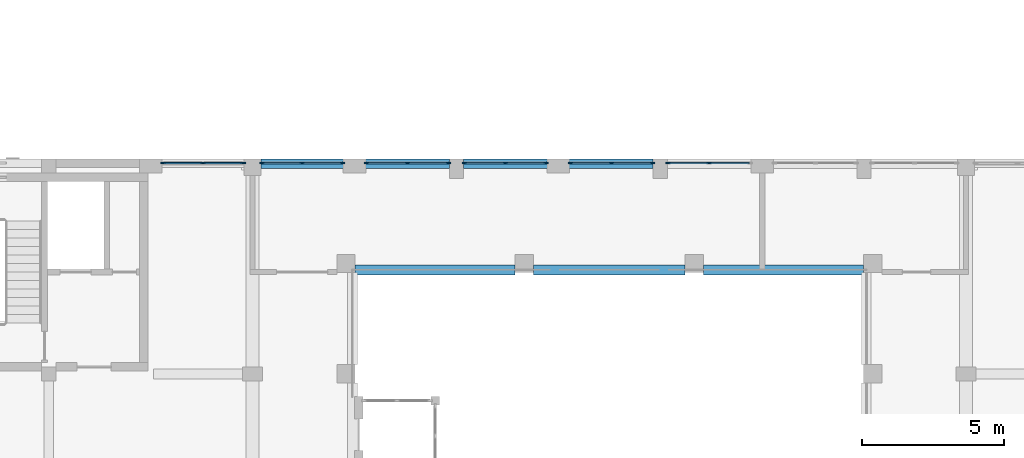
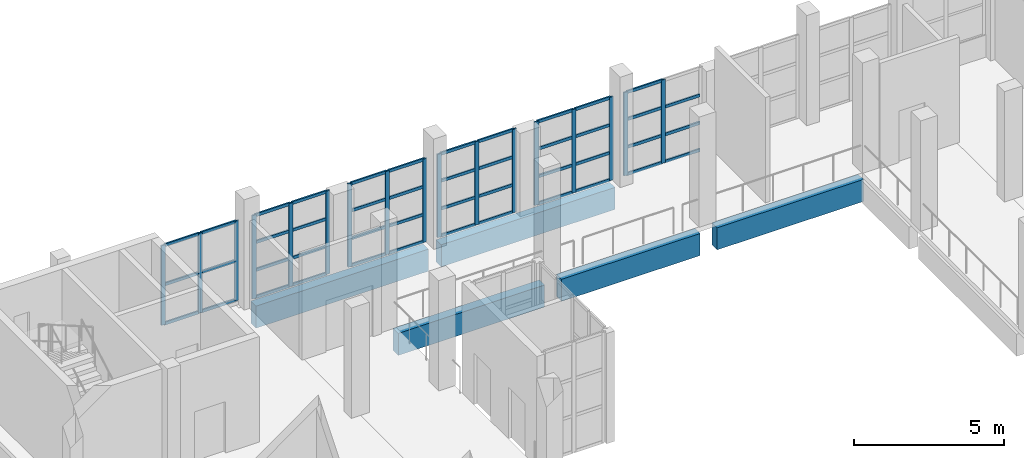
# One storey, part 8 of 59: 62 members, 5 beams, 6 elements without a shape of their own.
"""IFC4 building model written with IfcOpenShell, lengths in metres."""

from ifc_helpers import new_model, si_unit, direction, frame, origin, origin_2d, place, context, subcontext, project, spatial, rectangle, extrude, material, layer, layer_set, material_profile, profile_set, type_object, element, aggregate, save


model = new_model("IFC4")

# Units and contexts
model_context = context("Model", 3, precision=1e-05, world=origin(), true_north=direction((0.0, 1.0)))
body_context = subcontext(model_context, "Body", "Model", "MODEL_VIEW")
ifc_project = project(units=[si_unit("LENGTHUNIT", "METRE"), si_unit("AREAUNIT", "SQUARE_METRE"), si_unit("VOLUMEUNIT", "CUBIC_METRE"), si_unit("PLANEANGLEUNIT", "RADIAN"), si_unit("MASSUNIT", "GRAM", prefix="KILO")], contexts=[model_context])

# Site, building, storey
site_placement = place(None, origin())
site = spatial("IfcSite", under=ifc_project, at=site_placement, CompositionType="ELEMENT")
building_placement = place(site_placement, origin())
building = spatial("IfcBuilding", under=site, at=building_placement, Name="Ussher Court Research Institute", CompositionType="ELEMENT")
storey_placement = place(building_placement, frame((0.0, 0.0, 5.39990234375)))
storey = spatial("IfcBuildingStorey", under=building, at=storey_placement, Name="L01", CompositionType="ELEMENT", Elevation=5.39990234375)

# Curtain wall, members
ifc_material_1 = material(Name="Bronze anodised aluminium with fire-resisting glass", Category="aluminium")
ifc_layer_1 = layer(ifc_material_1, 0.1201171875)
ifc_layer_set_1 = layer_set([ifc_layer_1], Name="Bronze anodised aluminium with fire-resisting glass")
curtain_wall_type_1 = type_object("IfcCurtainWallType", Name="Curtain wall stair-side fire-resisting glazing", PredefinedType="NOTDEFINED", material=ifc_layer_set_1)
curtain_wall_1_placement = place(storey_placement, origin())
curtain_wall_1 = element("IfcCurtainWall", 1, at=curtain_wall_1_placement, inside=storey, type_object=curtain_wall_type_1, Name="Curtain wall CW13 L01", PredefinedType="NOTDEFINED")
ifc_material_2 = material(Name="Bronze anodised aluminium", Category="aluminium")
ifc_material_profile_1 = material_profile(ifc_material_2, rectangle(XDim=0.06005859375, YDim=0.159912109375, at=origin_2d()), Name="Mullion 60x160")
ifc_profile_set_1 = profile_set([ifc_material_profile_1], Name="Bronze anodised aluminium")
member_type_1 = type_object("IfcMemberType", Name="Mullion 60x160", PredefinedType="MULLION", material=ifc_profile_set_1)
member_1_placement = place(storey_placement, frame((35.830078125, 40.25, 0.150146484375), z_axis=(0.0, 0.0, 1.0), x_axis=(0.0, 1.0, 0.0)))
member_1 = element("IfcMember", 2, at=member_1_placement, type_object=member_type_1, Name="CW13 mullion 1", PredefinedType="MULLION", context=body_context, shape_type="SweptSolid", body=[
    extrude(rectangle(XDim=0.06005859375, YDim=0.159912109375, at=origin_2d()), origin(), (0.0, 0.0, 1.0), 3.25),
])
member_2_placement = place(storey_placement, frame((37.25, 40.25, 0.150146484375), z_axis=(0.0, 0.0, 1.0), x_axis=(0.0, 1.0, 0.0)))
member_2 = element("IfcMember", 3, at=member_2_placement, type_object=member_type_1, Name="CW13 mullion 2", PredefinedType="MULLION", context=body_context, shape_type="SweptSolid", body=[
    extrude(rectangle(XDim=0.06005859375, YDim=0.159912109375, at=origin_2d()), origin(), (0.0, 0.0, 1.0), 3.25),
])
member_3_placement = place(storey_placement, frame((38.669921875, 40.25, 0.150146484375), z_axis=(0.0, 0.0, 1.0), x_axis=(0.0, 1.0, 0.0)))
member_3 = element("IfcMember", 4, at=member_3_placement, type_object=member_type_1, Name="CW13 mullion 3", PredefinedType="MULLION", context=body_context, shape_type="SweptSolid", body=[
    extrude(rectangle(XDim=0.06005859375, YDim=0.159912109375, at=origin_2d()), origin(), (0.0, 0.0, 1.0), 3.25),
])

ifc_material_3 = material(Name="Bronze anodised aluminium with low-e glass", Category="aluminium")
ifc_layer_2 = layer(ifc_material_3, 0.1201171875)
ifc_layer_set_2 = layer_set([ifc_layer_2], Name="Bronze anodised aluminium with low-e glass")
curtain_wall_type_2 = type_object("IfcCurtainWallType", Name="Curtain wall atrium clear glazing", PredefinedType="NOTDEFINED", material=ifc_layer_set_2)
curtain_wall_2_placement = place(storey_placement, origin())
curtain_wall_2 = element("IfcCurtainWall", 5, at=curtain_wall_2_placement, inside=storey, type_object=curtain_wall_type_2, Name="Curtain wall CW2 L01", PredefinedType="NOTDEFINED")
member_4_placement = place(storey_placement, frame((39.330078125, 40.25, 0.0), z_axis=(0.0, 0.0, 1.0), x_axis=(0.0, 1.0, 0.0)))
member_4 = element("IfcMember", 6, at=member_4_placement, type_object=member_type_1, Name="CW2 mullion 1", PredefinedType="MULLION", context=body_context, shape_type="SweptSolid", body=[
    extrude(rectangle(XDim=0.06005859375, YDim=0.159912109375, at=origin_2d()), origin(), (0.0, 0.0, 1.0), 3.400146484375),
])
member_5_placement = place(storey_placement, frame((40.75, 40.25, 0.0), z_axis=(0.0, 0.0, 1.0), x_axis=(0.0, 1.0, 0.0)))
member_5 = element("IfcMember", 7, at=member_5_placement, type_object=member_type_1, Name="CW2 mullion 2", PredefinedType="MULLION", context=body_context, shape_type="SweptSolid", body=[
    extrude(rectangle(XDim=0.06005859375, YDim=0.159912109375, at=origin_2d()), origin(), (0.0, 0.0, 1.0), 3.400146484375),
])
member_6_placement = place(storey_placement, frame((42.169921875, 40.25, 0.0), z_axis=(0.0, 0.0, 1.0), x_axis=(0.0, 1.0, 0.0)))
member_6 = element("IfcMember", 8, at=member_6_placement, type_object=member_type_1, Name="CW2 mullion 3", PredefinedType="MULLION", context=body_context, shape_type="SweptSolid", body=[
    extrude(rectangle(XDim=0.06005859375, YDim=0.159912109375, at=origin_2d()), origin(), (0.0, 0.0, 1.0), 3.400146484375),
])

curtain_wall_3_placement = place(storey_placement, origin())
curtain_wall_3 = element("IfcCurtainWall", 9, at=curtain_wall_3_placement, inside=storey, type_object=curtain_wall_type_2, Name="Curtain wall CW2 L01", PredefinedType="NOTDEFINED")
member_7_placement = place(storey_placement, frame((43.030029296875, 40.25, 0.0), z_axis=(0.0, 0.0, 1.0), x_axis=(0.0, 1.0, 0.0)))
member_7 = element("IfcMember", 10, at=member_7_placement, type_object=member_type_1, Name="CW2 mullion 1", PredefinedType="MULLION", context=body_context, shape_type="SweptSolid", body=[
    extrude(rectangle(XDim=0.06005859375, YDim=0.159912109375, at=origin_2d()), origin(), (0.0, 0.0, 1.0), 3.400146484375),
])
member_8_placement = place(storey_placement, frame((44.47509765625, 40.25, 0.0), z_axis=(0.0, 0.0, 1.0), x_axis=(0.0, 1.0, 0.0)))
member_8 = element("IfcMember", 11, at=member_8_placement, type_object=member_type_1, Name="CW2 mullion 2", PredefinedType="MULLION", context=body_context, shape_type="SweptSolid", body=[
    extrude(rectangle(XDim=0.06005859375, YDim=0.159912109375, at=origin_2d()), origin(), (0.0, 0.0, 1.0), 3.400146484375),
])
member_9_placement = place(storey_placement, frame((45.919921875, 40.25, 0.0), z_axis=(0.0, 0.0, 1.0), x_axis=(0.0, 1.0, 0.0)))
member_9 = element("IfcMember", 12, at=member_9_placement, type_object=member_type_1, Name="CW2 mullion 3", PredefinedType="MULLION", context=body_context, shape_type="SweptSolid", body=[
    extrude(rectangle(XDim=0.06005859375, YDim=0.159912109375, at=origin_2d()), origin(), (0.0, 0.0, 1.0), 3.400146484375),
])

curtain_wall_4_placement = place(storey_placement, origin())
curtain_wall_4 = element("IfcCurtainWall", 13, at=curtain_wall_4_placement, inside=storey, type_object=curtain_wall_type_2, Name="Curtain wall CW2 L01", PredefinedType="NOTDEFINED")
member_10_placement = place(storey_placement, frame((46.47998046875, 40.25, 0.0), z_axis=(0.0, 0.0, 1.0), x_axis=(0.0, 1.0, 0.0)))
member_10 = element("IfcMember", 14, at=member_10_placement, type_object=member_type_1, Name="CW2 mullion 1", PredefinedType="MULLION", context=body_context, shape_type="SweptSolid", body=[
    extrude(rectangle(XDim=0.06005859375, YDim=0.159912109375, at=origin_2d()), origin(), (0.0, 0.0, 1.0), 3.400146484375),
])
member_11_placement = place(storey_placement, frame((47.925048828125, 40.25, 0.0), z_axis=(0.0, 0.0, 1.0), x_axis=(0.0, 1.0, 0.0)))
member_11 = element("IfcMember", 15, at=member_11_placement, type_object=member_type_1, Name="CW2 mullion 2", PredefinedType="MULLION", context=body_context, shape_type="SweptSolid", body=[
    extrude(rectangle(XDim=0.06005859375, YDim=0.159912109375, at=origin_2d()), origin(), (0.0, 0.0, 1.0), 3.400146484375),
])
member_12_placement = place(storey_placement, frame((49.3701171875, 40.25, 0.0), z_axis=(0.0, 0.0, 1.0), x_axis=(0.0, 1.0, 0.0)))
member_12 = element("IfcMember", 16, at=member_12_placement, type_object=member_type_1, Name="CW2 mullion 3", PredefinedType="MULLION", context=body_context, shape_type="SweptSolid", body=[
    extrude(rectangle(XDim=0.06005859375, YDim=0.159912109375, at=origin_2d()), origin(), (0.0, 0.0, 1.0), 3.400146484375),
])

curtain_wall_5_placement = place(storey_placement, origin())
curtain_wall_5 = element("IfcCurtainWall", 17, at=curtain_wall_5_placement, inside=storey, type_object=curtain_wall_type_2, Name="Curtain wall CW2 L01", PredefinedType="NOTDEFINED")
member_13_placement = place(storey_placement, frame((50.22998046875, 40.25, 0.0), z_axis=(0.0, 0.0, 1.0), x_axis=(0.0, 1.0, 0.0)))
member_13 = element("IfcMember", 18, at=member_13_placement, type_object=member_type_1, Name="CW2 mullion 1", PredefinedType="MULLION", context=body_context, shape_type="SweptSolid", body=[
    extrude(rectangle(XDim=0.06005859375, YDim=0.159912109375, at=origin_2d()), origin(), (0.0, 0.0, 1.0), 3.400146484375),
])
member_14_placement = place(storey_placement, frame((51.675048828125, 40.25, 0.0), z_axis=(0.0, 0.0, 1.0), x_axis=(0.0, 1.0, 0.0)))
member_14 = element("IfcMember", 19, at=member_14_placement, type_object=member_type_1, Name="CW2 mullion 2", PredefinedType="MULLION", context=body_context, shape_type="SweptSolid", body=[
    extrude(rectangle(XDim=0.06005859375, YDim=0.159912109375, at=origin_2d()), origin(), (0.0, 0.0, 1.0), 3.400146484375),
])
member_15_placement = place(storey_placement, frame((53.1201171875, 40.25, 0.0), z_axis=(0.0, 0.0, 1.0), x_axis=(0.0, 1.0, 0.0)))
member_15 = element("IfcMember", 20, at=member_15_placement, type_object=member_type_1, Name="CW2 mullion 3", PredefinedType="MULLION", context=body_context, shape_type="SweptSolid", body=[
    extrude(rectangle(XDim=0.06005859375, YDim=0.159912109375, at=origin_2d()), origin(), (0.0, 0.0, 1.0), 3.400146484375),
])

curtain_wall_6_placement = place(storey_placement, origin())
curtain_wall_6 = element("IfcCurtainWall", 21, at=curtain_wall_6_placement, inside=storey, type_object=curtain_wall_type_2, Name="Curtain wall CW2 L01", PredefinedType="NOTDEFINED")
member_16_placement = place(storey_placement, frame((53.679931640625, 40.25, 0.0), z_axis=(0.0, 0.0, 1.0), x_axis=(0.0, 1.0, 0.0)))
member_16 = element("IfcMember", 22, at=member_16_placement, type_object=member_type_1, Name="CW2 mullion 1", PredefinedType="MULLION", context=body_context, shape_type="SweptSolid", body=[
    extrude(rectangle(XDim=0.06005859375, YDim=0.159912109375, at=origin_2d()), origin(), (0.0, 0.0, 1.0), 3.400146484375),
])
member_17_placement = place(storey_placement, frame((55.125, 40.25, 0.0), z_axis=(0.0, 0.0, 1.0), x_axis=(0.0, 1.0, 0.0)))
member_17 = element("IfcMember", 23, at=member_17_placement, type_object=member_type_1, Name="CW2 mullion 2", PredefinedType="MULLION", context=body_context, shape_type="SweptSolid", body=[
    extrude(rectangle(XDim=0.06005859375, YDim=0.159912109375, at=origin_2d()), origin(), (0.0, 0.0, 1.0), 3.400146484375),
])

# Beams
ifc_material_4 = material(Name="Concrete C35/45", Category="concrete")
ifc_material_profile_2 = material_profile(ifc_material_4, rectangle(XDim=0.35009765625, YDim=0.89990234375, at=origin_2d()), Name="RC 350x900")
ifc_profile_set_2 = profile_set([ifc_material_profile_2], Name="Concrete C35/45")
beam_type = type_object("IfcBeamType", Name="RC 350x900 beam", PredefinedType="BEAM", material=ifc_profile_set_2)
beam_1_placement = place(storey_placement, frame((39.300048828125, 40.22509765625, -0.64990234375), z_axis=(1.0, 0.0, 0.0), x_axis=(0.0, 1.0, 0.0)))
element("IfcBeam", 24, at=beam_1_placement, inside=storey, type_object=beam_type, Name="SB1 V2 L01-05", PredefinedType="BEAM", context=body_context, shape_type="SweptSolid", body=[
    extrude(rectangle(XDim=0.35009765625, YDim=0.89990234375, at=origin_2d()), origin(), (0.0, 0.0, 1.0), 6.64990234375),
])
beam_2_placement = place(storey_placement, frame((46.449951171875, 40.22509765625, -0.64990234375), z_axis=(1.0, 0.0, 0.0), x_axis=(0.0, 1.0, 0.0)))
element("IfcBeam", 25, at=beam_2_placement, inside=storey, type_object=beam_type, Name="SB1 V2 L01-06", PredefinedType="BEAM", context=body_context, shape_type="SweptSolid", body=[
    extrude(rectangle(XDim=0.35009765625, YDim=0.89990234375, at=origin_2d()), origin(), (0.0, 0.0, 1.0), 6.699951171875),
])
beam_3_placement = place(storey_placement, frame((42.625, 36.47509765625, -0.64990234375), z_axis=(1.0, 0.0, 0.0), x_axis=(0.0, 1.0, 0.0)))
element("IfcBeam", 26, at=beam_3_placement, inside=storey, type_object=beam_type, Name="SB1 V2 L01-20", PredefinedType="BEAM", context=body_context, shape_type="SweptSolid", body=[
    extrude(rectangle(XDim=0.35009765625, YDim=0.89990234375, at=origin_2d()), origin(), (0.0, 0.0, 1.0), 5.64990234375),
])
beam_4_placement = place(storey_placement, frame((48.925048828125, 36.47509765625, -0.64990234375), z_axis=(1.0, 0.0, 0.0), x_axis=(0.0, 1.0, 0.0)))
element("IfcBeam", 27, at=beam_4_placement, inside=storey, type_object=beam_type, Name="SB1 V2 L01-21", PredefinedType="BEAM", context=body_context, shape_type="SweptSolid", body=[
    extrude(rectangle(XDim=0.35009765625, YDim=0.89990234375, at=origin_2d()), origin(), (0.0, 0.0, 1.0), 5.349853515625),
])
beam_5_placement = place(storey_placement, frame((54.925048828125, 36.47509765625, -0.64990234375), z_axis=(1.0, 0.0, 0.0), x_axis=(0.0, 1.0, 0.0)))
element("IfcBeam", 28, at=beam_5_placement, inside=storey, type_object=beam_type, Name="SB1 V2 L01-22", PredefinedType="BEAM", context=body_context, shape_type="SweptSolid", body=[
    extrude(rectangle(XDim=0.35009765625, YDim=0.89990234375, at=origin_2d()), origin(), (0.0, 0.0, 1.0), 5.64990234375),
])

# Member
ifc_material_5 = material(Name="Bronze anodised aluminium", Category="aluminium")
ifc_material_profile_3 = material_profile(ifc_material_5, rectangle(XDim=0.06005859375, YDim=0.1201171875, at=origin_2d()), Name="Transom 60x120")
ifc_profile_set_3 = profile_set([ifc_material_profile_3], Name="Bronze anodised aluminium")
member_type_2 = type_object("IfcMemberType", Name="Transom 60x120", PredefinedType="USERDEFINED", material=ifc_profile_set_3)
member_18_placement = place(storey_placement, frame((35.860107421875, 40.25, 0.18017578125), z_axis=(1.0, 0.0, 0.0), x_axis=(0.0, 1.0, 0.0)))
member_18 = element("IfcMember", 29, at=member_18_placement, type_object=member_type_2, Name="CW13 transom 1.1", ObjectType="TRANSOM", PredefinedType="USERDEFINED", context=body_context, shape_type="SweptSolid", body=[
    extrude(rectangle(XDim=0.06005859375, YDim=0.1201171875, at=origin_2d()), origin(), (0.0, 0.0, 1.0), 1.35986328125),
])

member_19_placement = place(storey_placement, frame((35.860107421875, 40.25, 1.775146484375), z_axis=(1.0, 0.0, 0.0), x_axis=(0.0, 1.0, 0.0)))
member_19 = element("IfcMember", 30, at=member_19_placement, type_object=member_type_2, Name="CW13 transom 1.2", ObjectType="TRANSOM", PredefinedType="USERDEFINED", context=body_context, shape_type="SweptSolid", body=[
    extrude(rectangle(XDim=0.06005859375, YDim=0.1201171875, at=origin_2d()), origin(), (0.0, 0.0, 1.0), 1.35986328125),
])

member_20_placement = place(storey_placement, frame((35.860107421875, 40.25, 3.3701171875), z_axis=(1.0, 0.0, 0.0), x_axis=(0.0, 1.0, 0.0)))
member_20 = element("IfcMember", 31, at=member_20_placement, type_object=member_type_2, Name="CW13 transom 1.3", ObjectType="TRANSOM", PredefinedType="USERDEFINED", context=body_context, shape_type="SweptSolid", body=[
    extrude(rectangle(XDim=0.06005859375, YDim=0.1201171875, at=origin_2d()), origin(), (0.0, 0.0, 1.0), 1.35986328125),
])

member_21_placement = place(storey_placement, frame((37.280029296875, 40.25, 0.18017578125), z_axis=(1.0, 0.0, 0.0), x_axis=(0.0, 1.0, 0.0)))
member_21 = element("IfcMember", 32, at=member_21_placement, type_object=member_type_2, Name="CW13 transom 2.1", ObjectType="TRANSOM", PredefinedType="USERDEFINED", context=body_context, shape_type="SweptSolid", body=[
    extrude(rectangle(XDim=0.06005859375, YDim=0.1201171875, at=origin_2d()), origin(), (0.0, 0.0, 1.0), 1.35986328125),
])

member_22_placement = place(storey_placement, frame((37.280029296875, 40.25, 1.775146484375), z_axis=(1.0, 0.0, 0.0), x_axis=(0.0, 1.0, 0.0)))
member_22 = element("IfcMember", 33, at=member_22_placement, type_object=member_type_2, Name="CW13 transom 2.2", ObjectType="TRANSOM", PredefinedType="USERDEFINED", context=body_context, shape_type="SweptSolid", body=[
    extrude(rectangle(XDim=0.06005859375, YDim=0.1201171875, at=origin_2d()), origin(), (0.0, 0.0, 1.0), 1.35986328125),
])

member_23_placement = place(storey_placement, frame((37.280029296875, 40.25, 3.3701171875), z_axis=(1.0, 0.0, 0.0), x_axis=(0.0, 1.0, 0.0)))
member_23 = element("IfcMember", 34, at=member_23_placement, type_object=member_type_2, Name="CW13 transom 2.3", ObjectType="TRANSOM", PredefinedType="USERDEFINED", context=body_context, shape_type="SweptSolid", body=[
    extrude(rectangle(XDim=0.06005859375, YDim=0.1201171875, at=origin_2d()), origin(), (0.0, 0.0, 1.0), 1.35986328125),
])

aggregate(curtain_wall_1, [member_1, member_2, member_3, member_18, member_19, member_20, member_21, member_22, member_23])

member_24_placement = place(storey_placement, frame((39.360107421875, 40.25, 0.030029296875), z_axis=(1.0, 0.0, 0.0), x_axis=(0.0, 1.0, 0.0)))
member_24 = element("IfcMember", 35, at=member_24_placement, type_object=member_type_2, Name="CW2 transom 1.1", ObjectType="TRANSOM", PredefinedType="USERDEFINED", context=body_context, shape_type="SweptSolid", body=[
    extrude(rectangle(XDim=0.06005859375, YDim=0.1201171875, at=origin_2d()), origin(), (0.0, 0.0, 1.0), 1.35986328125),
])

member_25_placement = place(storey_placement, frame((39.360107421875, 40.25, 1.13330078125), z_axis=(1.0, 0.0, 0.0), x_axis=(0.0, 1.0, 0.0)))
member_25 = element("IfcMember", 36, at=member_25_placement, type_object=member_type_2, Name="CW2 transom 1.2", ObjectType="TRANSOM", PredefinedType="USERDEFINED", context=body_context, shape_type="SweptSolid", body=[
    extrude(rectangle(XDim=0.06005859375, YDim=0.1201171875, at=origin_2d()), origin(), (0.0, 0.0, 1.0), 1.35986328125),
])

member_26_placement = place(storey_placement, frame((39.360107421875, 40.25, 2.266845703125), z_axis=(1.0, 0.0, 0.0), x_axis=(0.0, 1.0, 0.0)))
member_26 = element("IfcMember", 37, at=member_26_placement, type_object=member_type_2, Name="CW2 transom 1.3", ObjectType="TRANSOM", PredefinedType="USERDEFINED", context=body_context, shape_type="SweptSolid", body=[
    extrude(rectangle(XDim=0.06005859375, YDim=0.1201171875, at=origin_2d()), origin(), (0.0, 0.0, 1.0), 1.35986328125),
])

member_27_placement = place(storey_placement, frame((39.360107421875, 40.25, 3.3701171875), z_axis=(1.0, 0.0, 0.0), x_axis=(0.0, 1.0, 0.0)))
member_27 = element("IfcMember", 38, at=member_27_placement, type_object=member_type_2, Name="CW2 transom 1.4", ObjectType="TRANSOM", PredefinedType="USERDEFINED", context=body_context, shape_type="SweptSolid", body=[
    extrude(rectangle(XDim=0.06005859375, YDim=0.1201171875, at=origin_2d()), origin(), (0.0, 0.0, 1.0), 1.35986328125),
])

member_28_placement = place(storey_placement, frame((40.780029296875, 40.25, 0.030029296875), z_axis=(1.0, 0.0, 0.0), x_axis=(0.0, 1.0, 0.0)))
member_28 = element("IfcMember", 39, at=member_28_placement, type_object=member_type_2, Name="CW2 transom 2.1", ObjectType="TRANSOM", PredefinedType="USERDEFINED", context=body_context, shape_type="SweptSolid", body=[
    extrude(rectangle(XDim=0.06005859375, YDim=0.1201171875, at=origin_2d()), origin(), (0.0, 0.0, 1.0), 1.35986328125),
])

member_29_placement = place(storey_placement, frame((40.780029296875, 40.25, 1.13330078125), z_axis=(1.0, 0.0, 0.0), x_axis=(0.0, 1.0, 0.0)))
member_29 = element("IfcMember", 40, at=member_29_placement, type_object=member_type_2, Name="CW2 transom 2.2", ObjectType="TRANSOM", PredefinedType="USERDEFINED", context=body_context, shape_type="SweptSolid", body=[
    extrude(rectangle(XDim=0.06005859375, YDim=0.1201171875, at=origin_2d()), origin(), (0.0, 0.0, 1.0), 1.35986328125),
])

member_30_placement = place(storey_placement, frame((40.780029296875, 40.25, 2.266845703125), z_axis=(1.0, 0.0, 0.0), x_axis=(0.0, 1.0, 0.0)))
member_30 = element("IfcMember", 41, at=member_30_placement, type_object=member_type_2, Name="CW2 transom 2.3", ObjectType="TRANSOM", PredefinedType="USERDEFINED", context=body_context, shape_type="SweptSolid", body=[
    extrude(rectangle(XDim=0.06005859375, YDim=0.1201171875, at=origin_2d()), origin(), (0.0, 0.0, 1.0), 1.35986328125),
])

member_31_placement = place(storey_placement, frame((40.780029296875, 40.25, 3.3701171875), z_axis=(1.0, 0.0, 0.0), x_axis=(0.0, 1.0, 0.0)))
member_31 = element("IfcMember", 42, at=member_31_placement, type_object=member_type_2, Name="CW2 transom 2.4", ObjectType="TRANSOM", PredefinedType="USERDEFINED", context=body_context, shape_type="SweptSolid", body=[
    extrude(rectangle(XDim=0.06005859375, YDim=0.1201171875, at=origin_2d()), origin(), (0.0, 0.0, 1.0), 1.35986328125),
])

aggregate(curtain_wall_2, [member_4, member_5, member_6, member_24, member_25, member_26, member_27, member_28, member_29, member_30, member_31])

member_32_placement = place(storey_placement, frame((43.06005859375, 40.25, 0.030029296875), z_axis=(1.0, 0.0, 0.0), x_axis=(0.0, 1.0, 0.0)))
member_32 = element("IfcMember", 43, at=member_32_placement, type_object=member_type_2, Name="CW2 transom 1.1", ObjectType="TRANSOM", PredefinedType="USERDEFINED", context=body_context, shape_type="SweptSolid", body=[
    extrude(rectangle(XDim=0.06005859375, YDim=0.1201171875, at=origin_2d()), origin(), (0.0, 0.0, 1.0), 1.385009765625),
])

member_33_placement = place(storey_placement, frame((43.06005859375, 40.25, 1.13330078125), z_axis=(1.0, 0.0, 0.0), x_axis=(0.0, 1.0, 0.0)))
member_33 = element("IfcMember", 44, at=member_33_placement, type_object=member_type_2, Name="CW2 transom 1.2", ObjectType="TRANSOM", PredefinedType="USERDEFINED", context=body_context, shape_type="SweptSolid", body=[
    extrude(rectangle(XDim=0.06005859375, YDim=0.1201171875, at=origin_2d()), origin(), (0.0, 0.0, 1.0), 1.385009765625),
])

member_34_placement = place(storey_placement, frame((43.06005859375, 40.25, 2.266845703125), z_axis=(1.0, 0.0, 0.0), x_axis=(0.0, 1.0, 0.0)))
member_34 = element("IfcMember", 45, at=member_34_placement, type_object=member_type_2, Name="CW2 transom 1.3", ObjectType="TRANSOM", PredefinedType="USERDEFINED", context=body_context, shape_type="SweptSolid", body=[
    extrude(rectangle(XDim=0.06005859375, YDim=0.1201171875, at=origin_2d()), origin(), (0.0, 0.0, 1.0), 1.385009765625),
])

member_35_placement = place(storey_placement, frame((43.06005859375, 40.25, 3.3701171875), z_axis=(1.0, 0.0, 0.0), x_axis=(0.0, 1.0, 0.0)))
member_35 = element("IfcMember", 46, at=member_35_placement, type_object=member_type_2, Name="CW2 transom 1.4", ObjectType="TRANSOM", PredefinedType="USERDEFINED", context=body_context, shape_type="SweptSolid", body=[
    extrude(rectangle(XDim=0.06005859375, YDim=0.1201171875, at=origin_2d()), origin(), (0.0, 0.0, 1.0), 1.385009765625),
])

member_36_placement = place(storey_placement, frame((44.5048828125, 40.25, 0.030029296875), z_axis=(1.0, 0.0, 0.0), x_axis=(0.0, 1.0, 0.0)))
member_36 = element("IfcMember", 47, at=member_36_placement, type_object=member_type_2, Name="CW2 transom 2.1", ObjectType="TRANSOM", PredefinedType="USERDEFINED", context=body_context, shape_type="SweptSolid", body=[
    extrude(rectangle(XDim=0.06005859375, YDim=0.1201171875, at=origin_2d()), origin(), (0.0, 0.0, 1.0), 1.385009765625),
])

member_37_placement = place(storey_placement, frame((44.5048828125, 40.25, 1.13330078125), z_axis=(1.0, 0.0, 0.0), x_axis=(0.0, 1.0, 0.0)))
member_37 = element("IfcMember", 48, at=member_37_placement, type_object=member_type_2, Name="CW2 transom 2.2", ObjectType="TRANSOM", PredefinedType="USERDEFINED", context=body_context, shape_type="SweptSolid", body=[
    extrude(rectangle(XDim=0.06005859375, YDim=0.1201171875, at=origin_2d()), origin(), (0.0, 0.0, 1.0), 1.385009765625),
])

member_38_placement = place(storey_placement, frame((44.5048828125, 40.25, 2.266845703125), z_axis=(1.0, 0.0, 0.0), x_axis=(0.0, 1.0, 0.0)))
member_38 = element("IfcMember", 49, at=member_38_placement, type_object=member_type_2, Name="CW2 transom 2.3", ObjectType="TRANSOM", PredefinedType="USERDEFINED", context=body_context, shape_type="SweptSolid", body=[
    extrude(rectangle(XDim=0.06005859375, YDim=0.1201171875, at=origin_2d()), origin(), (0.0, 0.0, 1.0), 1.385009765625),
])

member_39_placement = place(storey_placement, frame((44.5048828125, 40.25, 3.3701171875), z_axis=(1.0, 0.0, 0.0), x_axis=(0.0, 1.0, 0.0)))
member_39 = element("IfcMember", 50, at=member_39_placement, type_object=member_type_2, Name="CW2 transom 2.4", ObjectType="TRANSOM", PredefinedType="USERDEFINED", context=body_context, shape_type="SweptSolid", body=[
    extrude(rectangle(XDim=0.06005859375, YDim=0.1201171875, at=origin_2d()), origin(), (0.0, 0.0, 1.0), 1.385009765625),
])

aggregate(curtain_wall_3, [member_7, member_8, member_9, member_32, member_33, member_34, member_35, member_36, member_37, member_38, member_39])

member_40_placement = place(storey_placement, frame((46.510009765625, 40.25, 0.030029296875), z_axis=(1.0, 0.0, 0.0), x_axis=(0.0, 1.0, 0.0)))
member_40 = element("IfcMember", 51, at=member_40_placement, type_object=member_type_2, Name="CW2 transom 1.1", ObjectType="TRANSOM", PredefinedType="USERDEFINED", context=body_context, shape_type="SweptSolid", body=[
    extrude(rectangle(XDim=0.06005859375, YDim=0.1201171875, at=origin_2d()), origin(), (0.0, 0.0, 1.0), 1.385009765625),
])

member_41_placement = place(storey_placement, frame((46.510009765625, 40.25, 1.13330078125), z_axis=(1.0, 0.0, 0.0), x_axis=(0.0, 1.0, 0.0)))
member_41 = element("IfcMember", 52, at=member_41_placement, type_object=member_type_2, Name="CW2 transom 1.2", ObjectType="TRANSOM", PredefinedType="USERDEFINED", context=body_context, shape_type="SweptSolid", body=[
    extrude(rectangle(XDim=0.06005859375, YDim=0.1201171875, at=origin_2d()), origin(), (0.0, 0.0, 1.0), 1.385009765625),
])

member_42_placement = place(storey_placement, frame((46.510009765625, 40.25, 2.266845703125), z_axis=(1.0, 0.0, 0.0), x_axis=(0.0, 1.0, 0.0)))
member_42 = element("IfcMember", 53, at=member_42_placement, type_object=member_type_2, Name="CW2 transom 1.3", ObjectType="TRANSOM", PredefinedType="USERDEFINED", context=body_context, shape_type="SweptSolid", body=[
    extrude(rectangle(XDim=0.06005859375, YDim=0.1201171875, at=origin_2d()), origin(), (0.0, 0.0, 1.0), 1.385009765625),
])

member_43_placement = place(storey_placement, frame((46.510009765625, 40.25, 3.3701171875), z_axis=(1.0, 0.0, 0.0), x_axis=(0.0, 1.0, 0.0)))
member_43 = element("IfcMember", 54, at=member_43_placement, type_object=member_type_2, Name="CW2 transom 1.4", ObjectType="TRANSOM", PredefinedType="USERDEFINED", context=body_context, shape_type="SweptSolid", body=[
    extrude(rectangle(XDim=0.06005859375, YDim=0.1201171875, at=origin_2d()), origin(), (0.0, 0.0, 1.0), 1.385009765625),
])

member_44_placement = place(storey_placement, frame((47.955078125, 40.25, 0.030029296875), z_axis=(1.0, 0.0, 0.0), x_axis=(0.0, 1.0, 0.0)))
member_44 = element("IfcMember", 55, at=member_44_placement, type_object=member_type_2, Name="CW2 transom 2.1", ObjectType="TRANSOM", PredefinedType="USERDEFINED", context=body_context, shape_type="SweptSolid", body=[
    extrude(rectangle(XDim=0.06005859375, YDim=0.1201171875, at=origin_2d()), origin(), (0.0, 0.0, 1.0), 1.385009765625),
])

member_45_placement = place(storey_placement, frame((47.955078125, 40.25, 1.13330078125), z_axis=(1.0, 0.0, 0.0), x_axis=(0.0, 1.0, 0.0)))
member_45 = element("IfcMember", 56, at=member_45_placement, type_object=member_type_2, Name="CW2 transom 2.2", ObjectType="TRANSOM", PredefinedType="USERDEFINED", context=body_context, shape_type="SweptSolid", body=[
    extrude(rectangle(XDim=0.06005859375, YDim=0.1201171875, at=origin_2d()), origin(), (0.0, 0.0, 1.0), 1.385009765625),
])

member_46_placement = place(storey_placement, frame((47.955078125, 40.25, 2.266845703125), z_axis=(1.0, 0.0, 0.0), x_axis=(0.0, 1.0, 0.0)))
member_46 = element("IfcMember", 57, at=member_46_placement, type_object=member_type_2, Name="CW2 transom 2.3", ObjectType="TRANSOM", PredefinedType="USERDEFINED", context=body_context, shape_type="SweptSolid", body=[
    extrude(rectangle(XDim=0.06005859375, YDim=0.1201171875, at=origin_2d()), origin(), (0.0, 0.0, 1.0), 1.385009765625),
])

member_47_placement = place(storey_placement, frame((47.955078125, 40.25, 3.3701171875), z_axis=(1.0, 0.0, 0.0), x_axis=(0.0, 1.0, 0.0)))
member_47 = element("IfcMember", 58, at=member_47_placement, type_object=member_type_2, Name="CW2 transom 2.4", ObjectType="TRANSOM", PredefinedType="USERDEFINED", context=body_context, shape_type="SweptSolid", body=[
    extrude(rectangle(XDim=0.06005859375, YDim=0.1201171875, at=origin_2d()), origin(), (0.0, 0.0, 1.0), 1.385009765625),
])

aggregate(curtain_wall_4, [member_10, member_11, member_12, member_40, member_41, member_42, member_43, member_44, member_45, member_46, member_47])

member_48_placement = place(storey_placement, frame((50.260009765625, 40.25, 0.030029296875), z_axis=(1.0, 0.0, 0.0), x_axis=(0.0, 1.0, 0.0)))
member_48 = element("IfcMember", 59, at=member_48_placement, type_object=member_type_2, Name="CW2 transom 1.1", ObjectType="TRANSOM", PredefinedType="USERDEFINED", context=body_context, shape_type="SweptSolid", body=[
    extrude(rectangle(XDim=0.06005859375, YDim=0.1201171875, at=origin_2d()), origin(), (0.0, 0.0, 1.0), 1.385009765625),
])

member_49_placement = place(storey_placement, frame((50.260009765625, 40.25, 1.13330078125), z_axis=(1.0, 0.0, 0.0), x_axis=(0.0, 1.0, 0.0)))
member_49 = element("IfcMember", 60, at=member_49_placement, type_object=member_type_2, Name="CW2 transom 1.2", ObjectType="TRANSOM", PredefinedType="USERDEFINED", context=body_context, shape_type="SweptSolid", body=[
    extrude(rectangle(XDim=0.06005859375, YDim=0.1201171875, at=origin_2d()), origin(), (0.0, 0.0, 1.0), 1.385009765625),
])

member_50_placement = place(storey_placement, frame((50.260009765625, 40.25, 2.266845703125), z_axis=(1.0, 0.0, 0.0), x_axis=(0.0, 1.0, 0.0)))
member_50 = element("IfcMember", 61, at=member_50_placement, type_object=member_type_2, Name="CW2 transom 1.3", ObjectType="TRANSOM", PredefinedType="USERDEFINED", context=body_context, shape_type="SweptSolid", body=[
    extrude(rectangle(XDim=0.06005859375, YDim=0.1201171875, at=origin_2d()), origin(), (0.0, 0.0, 1.0), 1.385009765625),
])

member_51_placement = place(storey_placement, frame((50.260009765625, 40.25, 3.3701171875), z_axis=(1.0, 0.0, 0.0), x_axis=(0.0, 1.0, 0.0)))
member_51 = element("IfcMember", 62, at=member_51_placement, type_object=member_type_2, Name="CW2 transom 1.4", ObjectType="TRANSOM", PredefinedType="USERDEFINED", context=body_context, shape_type="SweptSolid", body=[
    extrude(rectangle(XDim=0.06005859375, YDim=0.1201171875, at=origin_2d()), origin(), (0.0, 0.0, 1.0), 1.385009765625),
])

member_52_placement = place(storey_placement, frame((51.705078125, 40.25, 0.030029296875), z_axis=(1.0, 0.0, 0.0), x_axis=(0.0, 1.0, 0.0)))
member_52 = element("IfcMember", 63, at=member_52_placement, type_object=member_type_2, Name="CW2 transom 2.1", ObjectType="TRANSOM", PredefinedType="USERDEFINED", context=body_context, shape_type="SweptSolid", body=[
    extrude(rectangle(XDim=0.06005859375, YDim=0.1201171875, at=origin_2d()), origin(), (0.0, 0.0, 1.0), 1.385009765625),
])

member_53_placement = place(storey_placement, frame((51.705078125, 40.25, 1.13330078125), z_axis=(1.0, 0.0, 0.0), x_axis=(0.0, 1.0, 0.0)))
member_53 = element("IfcMember", 64, at=member_53_placement, type_object=member_type_2, Name="CW2 transom 2.2", ObjectType="TRANSOM", PredefinedType="USERDEFINED", context=body_context, shape_type="SweptSolid", body=[
    extrude(rectangle(XDim=0.06005859375, YDim=0.1201171875, at=origin_2d()), origin(), (0.0, 0.0, 1.0), 1.385009765625),
])

member_54_placement = place(storey_placement, frame((51.705078125, 40.25, 2.266845703125), z_axis=(1.0, 0.0, 0.0), x_axis=(0.0, 1.0, 0.0)))
member_54 = element("IfcMember", 65, at=member_54_placement, type_object=member_type_2, Name="CW2 transom 2.3", ObjectType="TRANSOM", PredefinedType="USERDEFINED", context=body_context, shape_type="SweptSolid", body=[
    extrude(rectangle(XDim=0.06005859375, YDim=0.1201171875, at=origin_2d()), origin(), (0.0, 0.0, 1.0), 1.385009765625),
])

member_55_placement = place(storey_placement, frame((51.705078125, 40.25, 3.3701171875), z_axis=(1.0, 0.0, 0.0), x_axis=(0.0, 1.0, 0.0)))
member_55 = element("IfcMember", 66, at=member_55_placement, type_object=member_type_2, Name="CW2 transom 2.4", ObjectType="TRANSOM", PredefinedType="USERDEFINED", context=body_context, shape_type="SweptSolid", body=[
    extrude(rectangle(XDim=0.06005859375, YDim=0.1201171875, at=origin_2d()), origin(), (0.0, 0.0, 1.0), 1.385009765625),
])

aggregate(curtain_wall_5, [member_13, member_14, member_15, member_48, member_49, member_50, member_51, member_52, member_53, member_54, member_55])

member_56_placement = place(storey_placement, frame((53.7099609375, 40.25, 0.030029296875), z_axis=(1.0, 0.0, 0.0), x_axis=(0.0, 1.0, 0.0)))
member_56 = element("IfcMember", 67, at=member_56_placement, type_object=member_type_2, Name="CW2 transom 1.1", ObjectType="TRANSOM", PredefinedType="USERDEFINED", context=body_context, shape_type="SweptSolid", body=[
    extrude(rectangle(XDim=0.06005859375, YDim=0.1201171875, at=origin_2d()), origin(), (0.0, 0.0, 1.0), 1.385009765625),
])

member_57_placement = place(storey_placement, frame((53.7099609375, 40.25, 1.13330078125), z_axis=(1.0, 0.0, 0.0), x_axis=(0.0, 1.0, 0.0)))
member_57 = element("IfcMember", 68, at=member_57_placement, type_object=member_type_2, Name="CW2 transom 1.2", ObjectType="TRANSOM", PredefinedType="USERDEFINED", context=body_context, shape_type="SweptSolid", body=[
    extrude(rectangle(XDim=0.06005859375, YDim=0.1201171875, at=origin_2d()), origin(), (0.0, 0.0, 1.0), 1.385009765625),
])

member_58_placement = place(storey_placement, frame((53.7099609375, 40.25, 2.266845703125), z_axis=(1.0, 0.0, 0.0), x_axis=(0.0, 1.0, 0.0)))
member_58 = element("IfcMember", 69, at=member_58_placement, type_object=member_type_2, Name="CW2 transom 1.3", ObjectType="TRANSOM", PredefinedType="USERDEFINED", context=body_context, shape_type="SweptSolid", body=[
    extrude(rectangle(XDim=0.06005859375, YDim=0.1201171875, at=origin_2d()), origin(), (0.0, 0.0, 1.0), 1.385009765625),
])

member_59_placement = place(storey_placement, frame((53.7099609375, 40.25, 3.3701171875), z_axis=(1.0, 0.0, 0.0), x_axis=(0.0, 1.0, 0.0)))
member_59 = element("IfcMember", 70, at=member_59_placement, type_object=member_type_2, Name="CW2 transom 1.4", ObjectType="TRANSOM", PredefinedType="USERDEFINED", context=body_context, shape_type="SweptSolid", body=[
    extrude(rectangle(XDim=0.06005859375, YDim=0.1201171875, at=origin_2d()), origin(), (0.0, 0.0, 1.0), 1.385009765625),
])

member_60_placement = place(storey_placement, frame((55.155029296875, 40.25, 0.030029296875), z_axis=(1.0, 0.0, 0.0), x_axis=(0.0, 1.0, 0.0)))
member_60 = element("IfcMember", 71, at=member_60_placement, type_object=member_type_2, Name="CW2 transom 2.1", ObjectType="TRANSOM", PredefinedType="USERDEFINED", context=body_context, shape_type="SweptSolid", body=[
    extrude(rectangle(XDim=0.06005859375, YDim=0.1201171875, at=origin_2d()), origin(), (0.0, 0.0, 1.0), 1.385009765625),
])

member_61_placement = place(storey_placement, frame((55.155029296875, 40.25, 1.13330078125), z_axis=(1.0, 0.0, 0.0), x_axis=(0.0, 1.0, 0.0)))
member_61 = element("IfcMember", 72, at=member_61_placement, type_object=member_type_2, Name="CW2 transom 2.2", ObjectType="TRANSOM", PredefinedType="USERDEFINED", context=body_context, shape_type="SweptSolid", body=[
    extrude(rectangle(XDim=0.06005859375, YDim=0.1201171875, at=origin_2d()), origin(), (0.0, 0.0, 1.0), 1.385009765625),
])

member_62_placement = place(storey_placement, frame((55.155029296875, 40.25, 2.266845703125), z_axis=(1.0, 0.0, 0.0), x_axis=(0.0, 1.0, 0.0)))
member_62 = element("IfcMember", 73, at=member_62_placement, type_object=member_type_2, Name="CW2 transom 2.3", ObjectType="TRANSOM", PredefinedType="USERDEFINED", context=body_context, shape_type="SweptSolid", body=[
    extrude(rectangle(XDim=0.06005859375, YDim=0.1201171875, at=origin_2d()), origin(), (0.0, 0.0, 1.0), 1.385009765625),
])

aggregate(curtain_wall_6, [member_16, member_17, member_56, member_57, member_58, member_59, member_60, member_61, member_62])

save(model, "model.ifc")
